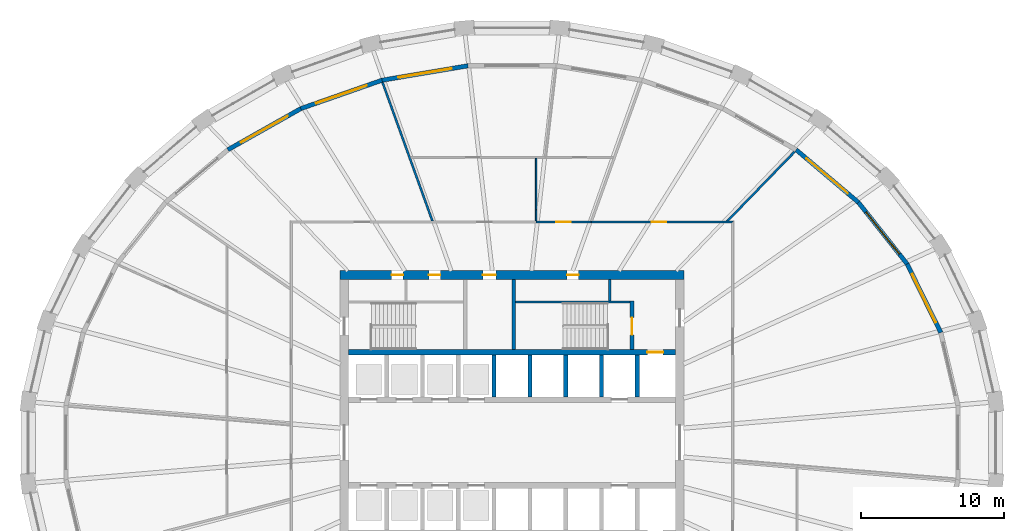
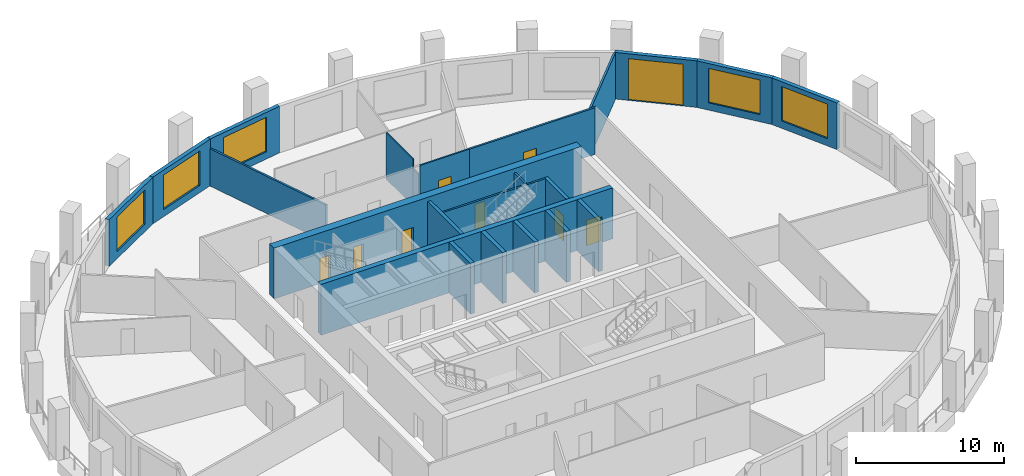
# One storey, part 6 of 10: 23 walls, 9 doors, 5 windows, 14 openings.
"""IFC4 building model written with IfcOpenShell, lengths in metres."""

from ifc_helpers import new_model, si_unit, direction, frame, frame_2d, origin, place, context, subcontext, project, spatial, polyline, rectangle, outline, extrude, material, layer, layer_set, type_object, element, fill, save


model = new_model("IFC4")

# Units and contexts
model_context = context("Model", 3, precision=1e-05, world=origin(), true_north=direction((0.0, 1.0)))
body_context = subcontext(model_context, "Body", "Model", "MODEL_VIEW")
ifc_project = project(units=[si_unit("LENGTHUNIT", "METRE"), si_unit("AREAUNIT", "SQUARE_METRE"), si_unit("VOLUMEUNIT", "CUBIC_METRE"), si_unit("PLANEANGLEUNIT", "RADIAN"), si_unit("MASSUNIT", "GRAM", prefix="KILO")], contexts=[model_context])

# Site, building, storey
site_placement = place(None, origin())
site = spatial("IfcSite", under=ifc_project, at=site_placement, CompositionType="ELEMENT")
building_placement = place(site_placement, origin())
building = spatial("IfcBuilding", under=site, at=building_placement, Name="Halqa Exchange Tower", CompositionType="ELEMENT")
storey_placement = place(building_placement, frame((0.0, 0.0, 163.300048828125)))
storey = spatial("IfcBuildingStorey", under=building, at=storey_placement, Name="L37", CompositionType="ELEMENT", Elevation=163.300048828125)

# Wall
ifc_material_1 = material(Name="Fire-rated gypsum board")
ifc_layer_1 = layer(ifc_material_1, 0.14990234375)
ifc_layer_set_1 = layer_set([ifc_layer_1], Name="Fire-rated gypsum board")
wall_type_1 = type_object("IfcWallType", Name="Fire partition EI 60 150", PredefinedType="PARTITIONING", material=ifc_layer_set_1)
wall_1_placement = place(storey_placement, frame((-9.036865234375, 25.143310546875, 0.0), z_axis=(0.0, 0.0, 1.0), x_axis=(0.338668278724, -0.940905838533, 0.0)))
element("IfcWall", 1, at=wall_1_placement, inside=storey, type_object=wall_type_1, Name="L37-PWL-011", PredefinedType="PARTITIONING", context=body_context, shape_type="SweptSolid", body=[
    extrude(outline(polyline([(0.0, -0.074951171875), (1.7080078125, -0.074951171875), (3.416259765625, -0.074951171875), (5.124267578125, -0.074951171875), (6.832275390625, -0.074951171875), (8.54052734375, -0.074951171875), (10.24853515625, -0.074951171875), (10.30029296875, 0.068603515625), (10.30029296875, 0.068603515625), (10.30224609375, 0.07421875), (10.30224609375, 0.074951171875), (8.75244140625, 0.074951171875), (7.20263671875, 0.074951171875), (5.65283203125, 0.074951171875), (5.652587890625, 0.074462890625), (5.651123046875, 0.074951171875), (3.77197265625, 0.074951171875), (1.892822265625, 0.074951171875), (0.013671875, 0.074951171875), (0.00048828125, 0.0029296875), (0.0, -0.054443359375), (0.0, -0.074951171875)])), origin(), (0.0, 0.0, 1.0), 3.079833984375),
])

# Wall, opening, door
wall_2_placement = place(storey_placement, frame((5.530029296875, 15.39990234375, 0.0), z_axis=(0.0, 0.0, 1.0), x_axis=(1.0, 0.0, 0.0)))
wall_2 = element("IfcWall", 2, at=wall_2_placement, inside=storey, type_object=wall_type_1, Name="L37-PWL-020", PredefinedType="PARTITIONING", context=body_context, shape_type="SweptSolid", body=[
    extrude(outline(polyline([(0.0, -0.074951171875), (1.958984375, -0.074951171875), (3.91796875, -0.074951171875), (5.876953125, -0.074951171875), (7.8359375, -0.074951171875), (9.794921875, -0.074951171875), (9.94482421875, 0.074951171875), (7.955810546875, 0.074951171875), (5.966796875, 0.074951171875), (3.97802734375, 0.074951171875), (1.989013671875, 0.074951171875), (0.0, 0.074951171875), (0.0, -0.074951171875)])), origin(), (0.0, 0.0, 1.0), 3.849853515625),
])
opening_1_placement = place(wall_2_placement, frame((4.219970703125, 0.0, 0.0)))
opening_1 = element("IfcOpeningElement", 3, at=opening_1_placement, cuts=wall_2, Name="Opening 11-12", PredefinedType="OPENING", context=body_context, shape_type="SweptSolid", body=[
    extrude(rectangle(XDim=1.0, YDim=2.10009765625, at=frame_2d((0.5, 1.050048828125))), frame((0.0, 0.0869140625, 0.0), z_axis=(0.0, -1.0, 0.0), x_axis=(1.0, 0.0, 0.0)), (0.0, 0.0, 1.0), 0.173828125),
])
ifc_material_2 = material(Name="Steel fire door leaf", Category="steel")
door_type_1 = type_object("IfcDoorType", Name="Fire door FD30S 1000 x 2100", OperationType="SINGLE_SWING_LEFT", PredefinedType="DOOR", material=ifc_material_2)
door_1_placement = place(opening_1_placement, origin())
door_1 = element("IfcDoor", 4, at=door_1_placement, inside=storey, type_object=door_type_1, Name="L37-IDR-012", OperationType="SINGLE_SWING_RIGHT", OverallHeight=2.10009765625, OverallWidth=1.0, PredefinedType="DOOR", context=body_context, shape_type="SweptSolid", body=[
    extrude(rectangle(XDim=1.0, YDim=2.10009765625, at=frame_2d((0.5, 1.050048828125))), frame((0.0, 0.02490234375, 0.0), z_axis=(0.0, -1.0, 0.0), x_axis=(1.0, 0.0, 0.0)), (0.0, 0.0, 1.0), 0.050048828125),
])
fill(opening_1, door_1)

# Wall
wall_3_placement = place(storey_placement, frame((14.9921875, 15.423095703125, 0.0), z_axis=(0.0, 0.0, 1.0), x_axis=(0.696574400919, 0.71748456707, 0.0)))
element("IfcWall", 5, at=wall_3_placement, inside=storey, type_object=wall_type_1, Name="L37-PWL-021", PredefinedType="PARTITIONING", context=body_context, shape_type="SweptSolid", body=[
    extrude(outline(polyline([(0.0, 0.074951171875), (0.0, 0.074462890625), (0.14501953125, -0.074951171875), (1.8076171875, -0.074951171875), (3.47021484375, -0.074951171875), (5.132568359375, -0.074951171875), (6.795166015625, -0.074951171875), (6.795166015625, 0.074951171875), (5.096435546875, 0.074951171875), (3.3974609375, 0.074951171875), (1.69873046875, 0.074951171875), (0.0, 0.074951171875)])), origin(), (0.0, 0.0, 1.0), 3.849853515625),
])

# Wall, opening, door
ifc_material_3 = material(Name="Fire-rated glazing", Category="glass")
ifc_layer_2 = layer(ifc_material_3, 0.1201171875)
ifc_layer_set_2 = layer_set([ifc_layer_2], Name="Fire-rated glazing")
wall_type_2 = type_object("IfcWallType", Name="Glazed fire partition EI 60 120", PredefinedType="PARTITIONING", material=ifc_layer_set_2)
wall_4_placement = place(storey_placement, frame((1.679931640625, 15.39990234375, 0.0), z_axis=(0.0, 0.0, 1.0), x_axis=(1.0, 0.0, 0.0)))
wall_4 = element("IfcWall", 6, at=wall_4_placement, inside=storey, type_object=wall_type_2, Name="L37-PWL-016", PredefinedType="PARTITIONING", context=body_context, shape_type="SweptSolid", body=[
    extrude(rectangle(XDim=3.85009765625, YDim=0.1201171875, at=frame_2d((1.925048828125, 0.0))), origin(), (0.0, 0.0, 1.0), 3.849853515625),
])
opening_2_placement = place(wall_4_placement, frame((1.425048828125, 0.0, 0.0)))
opening_2 = element("IfcOpeningElement", 7, at=opening_2_placement, cuts=wall_4, Name="Opening 11-01", PredefinedType="OPENING", context=body_context, shape_type="SweptSolid", body=[
    extrude(rectangle(XDim=1.0, YDim=2.10009765625, at=frame_2d((0.5, 1.050048828125))), frame((0.0, 0.072021484375, 0.0), z_axis=(0.0, -1.0, 0.0), x_axis=(1.0, 0.0, 0.0)), (0.0, 0.0, 1.0), 0.14404296875),
])
door_2_placement = place(opening_2_placement, origin())
door_2 = element("IfcDoor", 8, at=door_2_placement, inside=storey, type_object=door_type_1, Name="L37-IDR-001", OperationType="SINGLE_SWING_LEFT", OverallHeight=2.10009765625, OverallWidth=1.0, PredefinedType="DOOR", context=body_context, shape_type="SweptSolid", body=[
    extrude(rectangle(XDim=1.0, YDim=2.10009765625, at=frame_2d((0.5, 1.050048828125))), frame((0.0, 0.02490234375, 0.0), z_axis=(0.0, -1.0, 0.0), x_axis=(1.0, 0.0, 0.0)), (0.0, 0.0, 1.0), 0.050048828125),
])
fill(opening_2, door_2)

# Walls
ifc_material_4 = material(Name="Gypsum board")
ifc_layer_3 = layer(ifc_material_4, 0.10009765625)
ifc_layer_set_3 = layer_set([ifc_layer_3], Name="Gypsum board")
wall_type_3 = type_object("IfcWallType", Name="Partition 100 gypsum", PredefinedType="PARTITIONING", material=ifc_layer_set_3)
wall_5_placement = place(storey_placement, frame((1.679931640625, 15.46044921875, 0.0), z_axis=(0.0, 0.0, 1.0), x_axis=(0.0, 1.0, 0.0)))
element("IfcWall", 9, at=wall_5_placement, inside=storey, type_object=wall_type_3, Name="L37-PWL-015", PredefinedType="PARTITIONING", context=body_context, shape_type="SweptSolid", body=[
    extrude(outline(polyline([(0.78955078125, 0.050048828125), (0.0146484375, 0.050048828125), (0.0146484375, 0.0), (0.0, 0.0), (0.0, -0.050048828125), (0.78955078125, -0.050048828125), (0.78955078125, 0.050048828125)])), origin(), (0.0, 0.0, 1.0), 3.079833984375),
])
wall_6_placement = place(storey_placement, frame((1.679931640625, 16.25, 0.0), z_axis=(0.0, 0.0, 1.0), x_axis=(0.0, 1.0, 0.0)))
element("IfcWall", 10, at=wall_6_placement, inside=storey, type_object=wall_type_3, Name="L37-PWL-026", PredefinedType="PARTITIONING", context=body_context, shape_type="SweptSolid", body=[
    extrude(outline(polyline([(0.0, -0.050048828125), (1.800048828125, -0.050048828125), (3.60009765625, -0.050048828125), (3.60009765625, 0.050048828125), (1.800048828125, 0.050048828125), (0.0, 0.050048828125), (0.0, -0.050048828125)])), origin(), (0.0, 0.0, 1.0), 3.849853515625),
])
ifc_layer_4 = layer(ifc_material_4, 0.14990234375)
ifc_layer_set_4 = layer_set([ifc_layer_4], Name="Gypsum board")
wall_type_4 = type_object("IfcWallType", Name="Penthouse riser wall 150 gypsum", PredefinedType="PARTITIONING", material=ifc_layer_set_4)
wall_7_placement = place(storey_placement, frame((6.824951171875, 9.89990234375, 0.0), z_axis=(0.0, 0.0, 1.0), x_axis=(0.0, 1.0, 0.0)))
element("IfcWall", 11, at=wall_7_placement, inside=storey, type_object=wall_type_4, Name="Firefighting lobby west wall N", PredefinedType="PARTITIONING", context=body_context, shape_type="SweptSolid", body=[
    extrude(rectangle(XDim=1.5, YDim=0.14990234375, at=frame_2d((0.75, 0.0))), origin(), (0.0, 0.0, 1.0), 3.849853515625),
])
ifc_material_5 = material(Name="Concrete C60/75", Category="concrete")
ifc_layer_5 = layer(ifc_material_5, 0.300048828125)
ifc_layer_set_5 = layer_set([ifc_layer_5], Name="Concrete C60/75")
wall_type_5 = type_object("IfcWallType", Name="RC core wall 300", PredefinedType="SHEAR", material=ifc_layer_set_5)
for number, where, z_axis, x_axis, name in (
    (12, (-1.25, 3.199951171875, 0.0), (0.0, 0.0, 1.0), (0.0, 1.0, 0.0), "Shaft divider N4"),
    (13, (1.25, 3.199951171875, 0.0), (0.0, 0.0, 1.0), (0.0, 1.0, 0.0), "Shaft divider N5"),
    (14, (3.75, 3.199951171875, 0.0), (0.0, 0.0, 1.0), (0.0, 1.0, 0.0), "Shaft divider N6"),
    (15, (6.25, 3.199951171875, 0.0), (0.0, 0.0, 1.0), (0.0, 1.0, 0.0), "Shaft divider N7"),
    (16, (8.75, 3.199951171875, 0.0), (0.0, 0.0, 1.0), (0.0, 1.0, 0.0), "Shaft divider N8"),
):
    element("IfcWall", number, at=place(storey_placement, frame(where, z_axis=z_axis, x_axis=x_axis)), inside=storey, type_object=wall_type_5, Name=name, PredefinedType="SHEAR", context=body_context, shape_type="SweptSolid", body=[
        extrude(rectangle(XDim=2.900146484375, YDim=0.300048828125, at=frame_2d((1.4501953125, 0.0))), origin(), (0.0, 0.0, 1.0), 4.199951171875),
    ])

# Wall, opening, door
ifc_material_6 = material(Name="Concrete C70/85", Category="concrete")
ifc_layer_6 = layer(ifc_material_6, 0.39990234375)
ifc_layer_set_6 = layer_set([ifc_layer_6], Name="Concrete C70/85")
wall_type_6 = type_object("IfcWallType", Name="RC core wall 400 C70/85", PredefinedType="SHEAR", material=ifc_layer_set_6)
wall_8_placement = place(storey_placement, frame((-11.39990234375, 6.300048828125, 0.0), z_axis=(0.0, 0.0, 1.0), x_axis=(1.0, 0.0, 0.0)))
wall_8 = element("IfcWall", 17, at=wall_8_placement, inside=storey, type_object=wall_type_6, Name="Lift row back wall N", PredefinedType="SHEAR", context=body_context, shape_type="SweptSolid", body=[
    extrude(rectangle(XDim=22.7998046875, YDim=0.39990234375, at=frame_2d((11.39990234375, 0.0))), origin(), (0.0, 0.0, 1.0), 4.199951171875),
])
opening_3_placement = place(wall_8_placement, frame((20.85009765625, 0.0, 0.0)))
opening_3 = element("IfcOpeningElement", 18, at=opening_3_placement, cuts=wall_8, Name="Opening LD-FF1-T11", PredefinedType="OPENING", context=body_context, shape_type="SweptSolid", body=[
    extrude(rectangle(XDim=1.10009765625, YDim=2.10009765625, at=frame_2d((0.550048828125, 1.050048828125))), frame((0.0, 0.2119140625, 0.0), z_axis=(0.0, -1.0, 0.0), x_axis=(1.0, 0.0, 0.0)), (0.0, 0.0, 1.0), 0.423828125),
])
ifc_material_7 = material(Name="Stainless steel", Category="steel")
door_type_2 = type_object("IfcDoorType", Name="Lift landing door 1100 x 2100", OperationType="SLIDING_TO_LEFT", PredefinedType="DOOR", material=ifc_material_7)
door_3_placement = place(opening_3_placement, origin())
door_3 = element("IfcDoor", 19, at=door_3_placement, inside=storey, type_object=door_type_2, Name="Lift landing door FF1", OperationType="SLIDING_TO_LEFT", OverallHeight=2.10009765625, OverallWidth=1.10009765625, PredefinedType="DOOR", context=body_context, shape_type="SweptSolid", body=[
    extrude(rectangle(XDim=1.10009765625, YDim=2.10009765625, at=frame_2d((0.550048828125, 1.050048828125))), frame((0.0, 0.02490234375, 0.0), z_axis=(0.0, -1.0, 0.0), x_axis=(1.0, 0.0, 0.0)), (0.0, 0.0, 1.0), 0.050048828125),
])
fill(opening_3, door_3)

# Wall, openings, doors
ifc_layer_7 = layer(ifc_material_6, 0.60009765625)
ifc_layer_set_7 = layer_set([ifc_layer_7], Name="Concrete C70/85")
wall_type_7 = type_object("IfcWallType", Name="RC core wall 600 C70/85", PredefinedType="SHEAR", material=ifc_layer_set_7)
wall_9_placement = place(storey_placement, frame((-12.0, 11.699951171875, 0.0), z_axis=(0.0, 0.0, 1.0), x_axis=(1.0, 0.0, 0.0)))
wall_9 = element("IfcWall", 20, at=wall_9_placement, inside=storey, type_object=wall_type_7, Name="Core wall north", PredefinedType="SHEAR", context=body_context, shape_type="SweptSolid", body=[
    extrude(rectangle(XDim=24.0, YDim=0.60009765625, at=frame_2d((12.0, 0.0))), origin(), (0.0, 0.0, 1.0), 4.199951171875),
])
opening_4_placement = place(wall_9_placement, frame((9.97509765625, 0.0, 0.0)))
opening_4 = element("IfcOpeningElement", 21, at=opening_4_placement, cuts=wall_9, Name="Opening T11-C21", PredefinedType="OPENING", context=body_context, shape_type="SweptSolid", body=[
    extrude(rectangle(XDim=0.89990234375, YDim=2.10009765625, at=frame_2d((0.449951171875, 1.050048828125))), frame((0.0, 0.31201171875, 0.0), z_axis=(0.0, -1.0, 0.0), x_axis=(1.0, 0.0, 0.0)), (0.0, 0.0, 1.0), 0.6240234375),
])
opening_5_placement = place(wall_9_placement, frame((3.60009765625, 0.0, 0.0)))
opening_5 = element("IfcOpeningElement", 22, at=opening_5_placement, cuts=wall_9, Name="Opening T11-C22", PredefinedType="OPENING", context=body_context, shape_type="SweptSolid", body=[
    extrude(rectangle(XDim=0.800048828125, YDim=2.10009765625, at=frame_2d((0.39990234375, 1.050048828125))), frame((0.0, 0.31201171875, 0.0), z_axis=(0.0, -1.0, 0.0), x_axis=(1.0, 0.0, 0.0)), (0.0, 0.0, 1.0), 0.6240234375),
])
opening_6_placement = place(wall_9_placement, frame((6.199951171875, 0.0, 0.0)))
opening_6 = element("IfcOpeningElement", 23, at=opening_6_placement, cuts=wall_9, Name="Opening T11-C23", PredefinedType="OPENING", context=body_context, shape_type="SweptSolid", body=[
    extrude(rectangle(XDim=0.800048828125, YDim=2.10009765625, at=frame_2d((0.39990234375, 1.050048828125))), frame((0.0, 0.31201171875, 0.0), z_axis=(0.0, -1.0, 0.0), x_axis=(1.0, 0.0, 0.0)), (0.0, 0.0, 1.0), 0.6240234375),
])
opening_7_placement = place(wall_9_placement, frame((15.85009765625, 0.0, 0.0)))
opening_7 = element("IfcOpeningElement", 24, at=opening_7_placement, cuts=wall_9, Name="Opening T11-C24", PredefinedType="OPENING", context=body_context, shape_type="SweptSolid", body=[
    extrude(rectangle(XDim=0.800048828125, YDim=2.10009765625, at=frame_2d((0.39990234375, 1.050048828125))), frame((0.0, 0.31201171875, 0.0), z_axis=(0.0, -1.0, 0.0), x_axis=(1.0, 0.0, 0.0)), (0.0, 0.0, 1.0), 0.6240234375),
])
ifc_material_8 = material(Name="Timber fire door leaf", Category="wood")
door_type_3 = type_object("IfcDoorType", Name="Core room door FD30 900 x 2100", OperationType="SINGLE_SWING_LEFT", PredefinedType="DOOR", material=ifc_material_8)
door_4_placement = place(opening_4_placement, frame((0.89990234375, 0.0, 0.0), z_axis=(0.0, 0.0, 1.0), x_axis=(-1.0, 0.0, 0.0)))
door_4 = element("IfcDoor", 25, at=door_4_placement, inside=storey, type_object=door_type_3, Name="Core room door", OperationType="SINGLE_SWING_RIGHT", OverallHeight=2.10009765625, OverallWidth=0.89990234375, PredefinedType="DOOR", context=body_context, shape_type="SweptSolid", body=[
    extrude(rectangle(XDim=0.89990234375, YDim=2.10009765625, at=frame_2d((0.449951171875, 1.050048828125))), frame((0.0, 0.02490234375, 0.0), z_axis=(0.0, -1.0, 0.0), x_axis=(1.0, 0.0, 0.0)), (0.0, 0.0, 1.0), 0.050048828125),
])
fill(opening_4, door_4)
door_type_4 = type_object("IfcDoorType", Name="Riser door FD60 800 x 2100", OperationType="SINGLE_SWING_LEFT", PredefinedType="DOOR", material=ifc_material_2)
door_5_placement = place(opening_5_placement, frame((0.800048828125, 0.0, 0.0), z_axis=(0.0, 0.0, 1.0), x_axis=(-1.0, 0.0, 0.0)))
door_5 = element("IfcDoor", 26, at=door_5_placement, inside=storey, type_object=door_type_4, Name="Core room door", OperationType="SINGLE_SWING_RIGHT", OverallHeight=2.10009765625, OverallWidth=0.800048828125, PredefinedType="DOOR", context=body_context, shape_type="SweptSolid", body=[
    extrude(rectangle(XDim=0.800048828125, YDim=2.10009765625, at=frame_2d((0.39990234375, 1.050048828125))), frame((0.0, 0.02490234375, 0.0), z_axis=(0.0, -1.0, 0.0), x_axis=(1.0, 0.0, 0.0)), (0.0, 0.0, 1.0), 0.050048828125),
])
fill(opening_5, door_5)
door_6_placement = place(opening_6_placement, frame((0.800048828125, 0.0, 0.0), z_axis=(0.0, 0.0, 1.0), x_axis=(-1.0, 0.0, 0.0)))
door_6 = element("IfcDoor", 27, at=door_6_placement, inside=storey, type_object=door_type_4, Name="Core room door", OperationType="SINGLE_SWING_RIGHT", OverallHeight=2.10009765625, OverallWidth=0.800048828125, PredefinedType="DOOR", context=body_context, shape_type="SweptSolid", body=[
    extrude(rectangle(XDim=0.800048828125, YDim=2.10009765625, at=frame_2d((0.39990234375, 1.050048828125))), frame((0.0, 0.02490234375, 0.0), z_axis=(0.0, -1.0, 0.0), x_axis=(1.0, 0.0, 0.0)), (0.0, 0.0, 1.0), 0.050048828125),
])
fill(opening_6, door_6)
door_7_placement = place(opening_7_placement, frame((0.800048828125, 0.0, 0.0), z_axis=(0.0, 0.0, 1.0), x_axis=(-1.0, 0.0, 0.0)))
door_7 = element("IfcDoor", 28, at=door_7_placement, inside=storey, type_object=door_type_4, Name="Core room door", OperationType="SINGLE_SWING_RIGHT", OverallHeight=2.10009765625, OverallWidth=0.800048828125, PredefinedType="DOOR", context=body_context, shape_type="SweptSolid", body=[
    extrude(rectangle(XDim=0.800048828125, YDim=2.10009765625, at=frame_2d((0.39990234375, 1.050048828125))), frame((0.0, 0.02490234375, 0.0), z_axis=(0.0, -1.0, 0.0), x_axis=(1.0, 0.0, 0.0)), (0.0, 0.0, 1.0), 0.050048828125),
])
fill(opening_7, door_7)

# Walls
ifc_material_9 = material(Name="Concrete C30/37", Category="concrete")
ifc_layer_8 = layer(ifc_material_9, 0.14990234375)
ifc_layer_set_8 = layer_set([ifc_layer_8], Name="Concrete C30/37")
wall_type_8 = type_object("IfcWallType", Name="RC stair wall 150 C30/37", PredefinedType="SHEAR", material=ifc_layer_set_8)
wall_10_placement = place(storey_placement, frame((0.25, 9.824951171875, 0.0), z_axis=(0.0, 0.0, 1.0), x_axis=(1.0, 0.0, 0.0)))
element("IfcWall", 29, at=wall_10_placement, inside=storey, type_object=wall_type_8, Name="Stair ST2 north wall N", PredefinedType="SHEAR", context=body_context, shape_type="SweptSolid", body=[
    extrude(rectangle(XDim=8.0, YDim=0.14990234375, at=frame_2d((4.0, 0.0))), origin(), (0.0, 0.0, 1.0), 3.849853515625),
])
ifc_layer_9 = layer(ifc_material_9, 0.25)
ifc_layer_set_9 = layer_set([ifc_layer_9], Name="Concrete C30/37")
wall_type_9 = type_object("IfcWallType", Name="RC stair wall 250 C30/37", PredefinedType="SHEAR", material=ifc_layer_set_9)
wall_11_placement = place(storey_placement, frame((0.125, 6.5, 0.0), z_axis=(0.0, 0.0, 1.0), x_axis=(0.0, 1.0, 0.0)))
element("IfcWall", 30, at=wall_11_placement, inside=storey, type_object=wall_type_9, Name="Stair ST2 west wall N", PredefinedType="SHEAR", context=body_context, shape_type="SweptSolid", body=[
    extrude(rectangle(XDim=4.89990234375, YDim=0.25, at=frame_2d((2.449951171875, 0.0))), origin(), (0.0, 0.0, 1.0), 3.849853515625),
])

# Wall, opening, door
wall_12_placement = place(storey_placement, frame((8.375, 6.5, 0.0), z_axis=(0.0, 0.0, 1.0), x_axis=(0.0, 1.0, 0.0)))
wall_12 = element("IfcWall", 31, at=wall_12_placement, inside=storey, type_object=wall_type_9, Name="Stair ST2 east wall N", PredefinedType="SHEAR", context=body_context, shape_type="SweptSolid", body=[
    extrude(rectangle(XDim=3.39990234375, YDim=0.25, at=frame_2d((1.699951171875, 0.0))), origin(), (0.0, 0.0, 1.0), 3.849853515625),
])
opening_8_placement = place(wall_12_placement, frame((1.02490234375, 0.0, 0.0)))
opening_8 = element("IfcOpeningElement", 32, at=opening_8_placement, cuts=wall_12, Name="Opening T11-C16", PredefinedType="OPENING", context=body_context, shape_type="SweptSolid", body=[
    extrude(rectangle(XDim=1.199951171875, YDim=2.10009765625, at=frame_2d((0.60009765625, 1.050048828125))), frame((0.0, 0.136962890625, 0.0), z_axis=(0.0, -1.0, 0.0), x_axis=(1.0, 0.0, 0.0)), (0.0, 0.0, 1.0), 0.27392578125),
])
door_type_5 = type_object("IfcDoorType", Name="Stair door FD90 1200 x 2100", OperationType="SINGLE_SWING_LEFT", PredefinedType="DOOR", material=ifc_material_2)
door_8_placement = place(opening_8_placement, origin())
door_8 = element("IfcDoor", 33, at=door_8_placement, inside=storey, type_object=door_type_5, Name="Stair door ST2", OperationType="SINGLE_SWING_LEFT", OverallHeight=2.10009765625, OverallWidth=1.199951171875, PredefinedType="DOOR", context=body_context, shape_type="SweptSolid", body=[
    extrude(rectangle(XDim=1.199951171875, YDim=2.10009765625, at=frame_2d((0.60009765625, 1.050048828125))), frame((0.0, 0.02490234375, 0.0), z_axis=(0.0, -1.0, 0.0), x_axis=(1.0, 0.0, 0.0)), (0.0, 0.0, 1.0), 0.050048828125),
])
fill(opening_8, door_8)

# Wall, opening, window
ifc_material_10 = material(Name="Limestone cladding", Category="masonry")
ifc_layer_10 = layer(ifc_material_10, 0.0400390625)
ifc_material_11 = material(Name="Ventilated cavity")
ifc_layer_11 = layer(ifc_material_11, 0.030029296875, ventilated=True)
ifc_material_12 = material(Name="Mineral wool insulation")
ifc_layer_12 = layer(ifc_material_12, 0.10009765625)
ifc_layer_13 = layer(ifc_material_9, 0.10009765625)
ifc_material_13 = material(Name="Internal plaster")
ifc_layer_14 = layer(ifc_material_13, 0.030029296875)
ifc_layer_set_10 = layer_set([ifc_layer_10, ifc_layer_11, ifc_layer_12, ifc_layer_13, ifc_layer_14], Name="Stone-faced insulated wall 300")
wall_type_10 = type_object("IfcWallType", Name="Stone-faced insulated wall 300", PredefinedType="STANDARD", material=ifc_layer_set_10)
wall_13_placement = place(storey_placement, frame((29.923095703125, 7.67822265625, 0.0), z_axis=(0.0, 0.0, 1.0), x_axis=(-0.440444485575, 0.897779847806, 0.0)))
wall_13 = element("IfcWall", 34, at=wall_13_placement, inside=storey, type_object=wall_type_10, Name="Glass-line wall 2", PredefinedType="STANDARD", context=body_context, shape_type="SweptSolid", body=[
    extrude(outline(polyline([(-0.016845703125, -0.14990234375), (5.349609375, -0.14990234375), (5.3173828125, 0.14990234375), (0.016845703125, 0.14990234375), (-0.016845703125, -0.14990234375)])), origin(), (0.0, 0.0, 1.0), 3.849853515625),
])
opening_9_placement = place(wall_13_placement, frame((0.791748046875, 0.0, 0.60009765625)))
opening_9 = element("IfcOpeningElement", 35, at=opening_9_placement, cuts=wall_13, Name="Opening W-F2-02", PredefinedType="OPENING", context=body_context, shape_type="SweptSolid", body=[
    extrude(rectangle(XDim=3.75, YDim=2.85009765625, at=frame_2d((1.875, 1.425048828125))), frame((0.0, 0.162109375, 0.0), z_axis=(0.0, -1.0, 0.0), x_axis=(1.0, 0.0, 0.0)), (0.0, 0.0, 1.0), 0.323974609375),
])
ifc_material_14 = material(Name="Clear low-emissivity glass in aluminium frame", Category="aluminium")
window_type = type_object("IfcWindowType", Name="Fixed clear glazed window 3750 x 2850", PartitioningType="TRIPLE_PANEL_VERTICAL", PredefinedType="WINDOW", material=ifc_material_14)
window_1_placement = place(opening_9_placement, origin())
window_1 = element("IfcWindow", 36, at=window_1_placement, inside=storey, type_object=window_type, Name="Window 2", OverallHeight=2.85009765625, OverallWidth=3.75, PartitioningType="TRIPLE_PANEL_VERTICAL", PredefinedType="WINDOW", context=body_context, shape_type="SweptSolid", body=[
    extrude(rectangle(XDim=3.75, YDim=2.85009765625, at=frame_2d((1.875, 1.425048828125))), frame((0.0, 0.030029296875, 0.0), z_axis=(0.0, -1.0, 0.0), x_axis=(1.0, 0.0, 0.0)), (0.0, 0.0, 1.0), 0.06005859375),
])
fill(opening_9, window_1)

wall_14_placement = place(storey_placement, frame((27.573974609375, 12.466552734375, 0.0), z_axis=(0.0, 0.0, 1.0), x_axis=(-0.620577705153, 0.784144955902, 0.0)))
wall_14 = element("IfcWall", 37, at=wall_14_placement, inside=storey, type_object=wall_type_10, Name="Glass-line wall 3", PredefinedType="STANDARD", context=body_context, shape_type="SweptSolid", body=[
    extrude(outline(polyline([(-0.01611328125, -0.14990234375), (5.5078125, -0.14990234375), (5.4775390625, 0.14990234375), (0.01611328125, 0.14990234375), (-0.01611328125, -0.14990234375)])), origin(), (0.0, 0.0, 1.0), 3.849853515625),
])
opening_10_placement = place(wall_14_placement, frame((0.871337890625, 0.0, 0.60009765625)))
opening_10 = element("IfcOpeningElement", 38, at=opening_10_placement, cuts=wall_14, Name="Opening W-F2-03", PredefinedType="OPENING", context=body_context, shape_type="SweptSolid", body=[
    extrude(rectangle(XDim=3.75, YDim=2.85009765625, at=frame_2d((1.875, 1.425048828125))), frame((0.0, 0.162109375, 0.0), z_axis=(0.0, -1.0, 0.0), x_axis=(1.0, 0.0, 0.0)), (0.0, 0.0, 1.0), 0.323974609375),
])
window_2_placement = place(opening_10_placement, origin())
window_2 = element("IfcWindow", 39, at=window_2_placement, inside=storey, type_object=window_type, Name="Window 2", OverallHeight=2.85009765625, OverallWidth=3.75, PartitioningType="TRIPLE_PANEL_VERTICAL", PredefinedType="WINDOW", context=body_context, shape_type="SweptSolid", body=[
    extrude(rectangle(XDim=3.75, YDim=2.85009765625, at=frame_2d((1.875, 1.425048828125))), frame((0.0, 0.030029296875, 0.0), z_axis=(0.0, -1.0, 0.0), x_axis=(1.0, 0.0, 0.0)), (0.0, 0.0, 1.0), 0.06005859375),
])
fill(opening_10, window_2)

# Wall, opening, door
wall_15_placement = place(storey_placement, frame((24.165283203125, 16.773681640625, 0.0), z_axis=(0.0, 0.0, 1.0), x_axis=(-0.764076096085, 0.645126126732, 0.0)))
wall_15 = element("IfcWall", 40, at=wall_15_placement, inside=storey, type_object=wall_type_10, Name="Glass-line wall 4", PredefinedType="STANDARD", context=body_context, shape_type="SweptSolid", body=[
    extrude(outline(polyline([(-0.01513671875, -0.14990234375), (5.689208984375, -0.14990234375), (5.660888671875, 0.14990234375), (0.01513671875, 0.14990234375), (-0.01513671875, -0.14990234375)])), origin(), (0.0, 0.0, 1.0), 3.849853515625),
])
opening_11_placement = place(wall_15_placement, frame((0.96240234375, 0.0, 0.0)))
opening_11 = element("IfcOpeningElement", 41, at=opening_11_placement, cuts=wall_15, Name="Opening LG-F2-01", PredefinedType="OPENING", context=body_context, shape_type="SweptSolid", body=[
    extrude(rectangle(XDim=3.75, YDim=3.449951171875, at=frame_2d((1.875, 1.72509765625))), frame((0.0, 0.162109375, 0.0), z_axis=(0.0, -1.0, 0.0), x_axis=(1.0, 0.0, 0.0)), (0.0, 0.0, 1.0), 0.323974609375),
])
door_type_6 = type_object("IfcDoorType", Name="Glazed sliding loggia door 3750 x 3450", OperationType="DOUBLE_DOOR_SLIDING", PredefinedType="DOOR", material=ifc_material_14)
door_9_placement = place(opening_11_placement, origin())
door_9 = element("IfcDoor", 42, at=door_9_placement, inside=storey, type_object=door_type_6, Name="Loggia door 1", OperationType="DOUBLE_DOOR_SLIDING", OverallHeight=3.449951171875, OverallWidth=3.75, PredefinedType="DOOR", context=body_context, shape_type="SweptSolid", body=[
    extrude(rectangle(XDim=3.75, YDim=3.449951171875, at=frame_2d((1.875, 1.72509765625))), frame((0.0, 0.02490234375, 0.0), z_axis=(0.0, -1.0, 0.0), x_axis=(1.0, 0.0, 0.0)), (0.0, 0.0, 1.0), 0.050048828125),
])
fill(opening_11, door_9)

# Wall, opening, window
wall_16_placement = place(storey_placement, frame((-3.06298828125, 26.298583984375, 0.0), z_axis=(0.0, 0.0, 1.0), x_axis=(-0.98618955457, -0.165620537547, 0.0)))
wall_16 = element("IfcWall", 43, at=wall_16_placement, inside=storey, type_object=wall_type_10, Name="Glass-line wall 9", PredefinedType="STANDARD", context=body_context, shape_type="SweptSolid", body=[
    extrude(outline(polyline([(-0.012451171875, -0.14990234375), (6.105224609375, -0.14990234375), (6.079833984375, 0.14990234375), (0.012451171875, 0.14990234375), (-0.012451171875, -0.14990234375)])), origin(), (0.0, 0.0, 1.0), 3.849853515625),
])
opening_12_placement = place(wall_16_placement, frame((1.17138671875, 0.0, 0.60009765625)))
opening_12 = element("IfcOpeningElement", 44, at=opening_12_placement, cuts=wall_16, Name="Opening W-F2-09", PredefinedType="OPENING", context=body_context, shape_type="SweptSolid", body=[
    extrude(rectangle(XDim=3.75, YDim=2.85009765625, at=frame_2d((1.875, 1.425048828125))), frame((0.0, 0.162109375, 0.0), z_axis=(0.0, -1.0, 0.0), x_axis=(1.0, 0.0, 0.0)), (0.0, 0.0, 1.0), 0.323974609375),
])
window_3_placement = place(opening_12_placement, origin())
window_3 = element("IfcWindow", 45, at=window_3_placement, inside=storey, type_object=window_type, Name="Window 2", OverallHeight=2.85009765625, OverallWidth=3.75, PartitioningType="TRIPLE_PANEL_VERTICAL", PredefinedType="WINDOW", context=body_context, shape_type="SweptSolid", body=[
    extrude(rectangle(XDim=3.75, YDim=2.85009765625, at=frame_2d((1.875, 1.425048828125))), frame((0.0, 0.030029296875, 0.0), z_axis=(0.0, -1.0, 0.0), x_axis=(1.0, 0.0, 0.0)), (0.0, 0.0, 1.0), 0.06005859375),
])
fill(opening_12, window_3)

wall_17_placement = place(storey_placement, frame((-9.0712890625, 25.28955078125, 0.0), z_axis=(0.0, 0.0, 1.0), x_axis=(-0.943944636678, -0.330103806228, 0.0)))
wall_17 = element("IfcWall", 46, at=wall_17_placement, inside=storey, type_object=wall_type_10, Name="Glass-line wall 10", PredefinedType="STANDARD", context=body_context, shape_type="SweptSolid", body=[
    extrude(outline(polyline([(-0.0126953125, -0.14990234375), (6.0107421875, -0.14990234375), (5.98388671875, 0.14990234375), (0.0126953125, 0.14990234375), (-0.0126953125, -0.14990234375)])), origin(), (0.0, 0.0, 1.0), 3.849853515625),
])
opening_13_placement = place(wall_17_placement, frame((1.12353515625, 0.0, 0.60009765625)))
opening_13 = element("IfcOpeningElement", 47, at=opening_13_placement, cuts=wall_17, Name="Opening W-F2-10", PredefinedType="OPENING", context=body_context, shape_type="SweptSolid", body=[
    extrude(rectangle(XDim=3.75, YDim=2.85009765625, at=frame_2d((1.875, 1.425048828125))), frame((0.0, 0.162109375, 0.0), z_axis=(0.0, -1.0, 0.0), x_axis=(1.0, 0.0, 0.0)), (0.0, 0.0, 1.0), 0.323974609375),
])
window_4_placement = place(opening_13_placement, origin())
window_4 = element("IfcWindow", 48, at=window_4_placement, inside=storey, type_object=window_type, Name="Window 2", OverallHeight=2.85009765625, OverallWidth=3.75, PartitioningType="TRIPLE_PANEL_VERTICAL", PredefinedType="WINDOW", context=body_context, shape_type="SweptSolid", body=[
    extrude(rectangle(XDim=3.75, YDim=2.85009765625, at=frame_2d((1.875, 1.425048828125))), frame((0.0, 0.030029296875, 0.0), z_axis=(0.0, -1.0, 0.0), x_axis=(1.0, 0.0, 0.0)), (0.0, 0.0, 1.0), 0.06005859375),
])
fill(opening_13, window_4)

wall_18_placement = place(storey_placement, frame((-14.732421875, 23.309814453125, 0.0), z_axis=(0.0, 0.0, 1.0), x_axis=(-0.870982130072, -0.491314694565, 0.0)))
wall_18 = element("IfcWall", 49, at=wall_18_placement, inside=storey, type_object=wall_type_10, Name="Glass-line wall 11", PredefinedType="STANDARD", context=body_context, shape_type="SweptSolid", body=[
    extrude(outline(polyline([(-0.013427734375, -0.14990234375), (5.86572265625, -0.14990234375), (5.83740234375, 0.14990234375), (0.013427734375, 0.14990234375), (-0.013427734375, -0.14990234375)])), origin(), (0.0, 0.0, 1.0), 3.849853515625),
])
opening_14_placement = place(wall_18_placement, frame((1.05078125, 0.0, 0.60009765625)))
opening_14 = element("IfcOpeningElement", 50, at=opening_14_placement, cuts=wall_18, Name="Opening W-F2-11", PredefinedType="OPENING", context=body_context, shape_type="SweptSolid", body=[
    extrude(rectangle(XDim=3.75, YDim=2.85009765625, at=frame_2d((1.875, 1.425048828125))), frame((0.0, 0.162109375, 0.0), z_axis=(0.0, -1.0, 0.0), x_axis=(1.0, 0.0, 0.0)), (0.0, 0.0, 1.0), 0.323974609375),
])
window_5_placement = place(opening_14_placement, origin())
window_5 = element("IfcWindow", 51, at=window_5_placement, inside=storey, type_object=window_type, Name="Window 2", OverallHeight=2.85009765625, OverallWidth=3.75, PartitioningType="TRIPLE_PANEL_VERTICAL", PredefinedType="WINDOW", context=body_context, shape_type="SweptSolid", body=[
    extrude(rectangle(XDim=3.75, YDim=2.85009765625, at=frame_2d((1.875, 1.425048828125))), frame((0.0, 0.030029296875, 0.0), z_axis=(0.0, -1.0, 0.0), x_axis=(1.0, 0.0, 0.0)), (0.0, 0.0, 1.0), 0.06005859375),
])
fill(opening_14, window_5)

save(model, "model.ifc")
